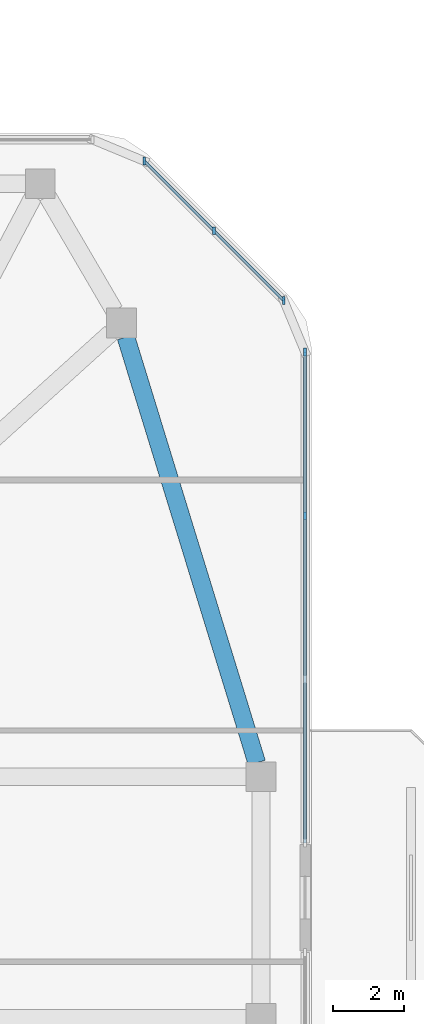
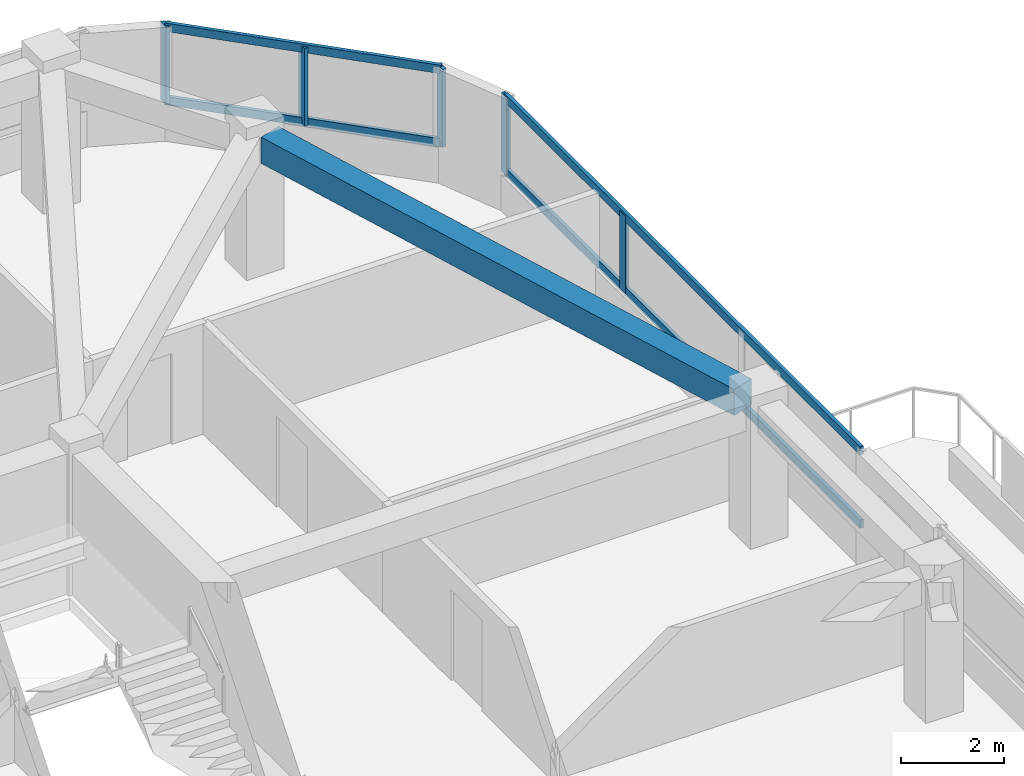
# One storey, part 7 of 14: 9 members, 1 beam, 2 elements without a shape of their own.
"""IFC4 building model written with IfcOpenShell, lengths in metres."""

from ifc_helpers import new_model, si_unit, derived_unit, direction, frame, origin, origin_2d, place, context, subcontext, project, spatial, rectangle, extrude, material, material_profile, profile_set, type_object, element, aggregate, save


model = new_model("IFC4")

# Units and contexts
model_context = context("Model", 3, precision=1e-05, world=origin(), true_north=direction((0.0, 1.0)))
body_context = subcontext(model_context, "Body", "Model", "MODEL_VIEW")
ifc_project = project(units=[si_unit("LENGTHUNIT", "METRE"), si_unit("AREAUNIT", "SQUARE_METRE"), si_unit("VOLUMEUNIT", "CUBIC_METRE"), si_unit("PLANEANGLEUNIT", "RADIAN"), si_unit("MASSUNIT", "GRAM", prefix="KILO"), derived_unit("THERMALTRANSMITTANCEUNIT", [(si_unit("POWERUNIT", "WATT"), 1), (si_unit("LENGTHUNIT", "METRE"), -2), (si_unit("THERMODYNAMICTEMPERATUREUNIT", "KELVIN"), -1)])], contexts=[model_context])

# Site, building, storey
site_placement = place(None, origin())
site = spatial("IfcSite", under=ifc_project, at=site_placement, CompositionType="ELEMENT")
building_placement = place(site_placement, origin())
building = spatial("IfcBuilding", under=site, at=building_placement, Name="Koralith Skygarden Medical Center", CompositionType="ELEMENT")
storey_placement = place(building_placement, frame((0.0, 0.0, 275.219970703125)))
storey = spatial("IfcBuildingStorey", under=building, at=storey_placement, Name="L71", CompositionType="ELEMENT", Elevation=275.219970703125)

# Curtain wall, members
ifc_material_1 = material(Name="Clear Laminated Glass", Category="glass")
curtain_wall_type = type_object("IfcCurtainWallType", Name="CW-6 Zone 5 Upper Clinical Curtain Wall", PredefinedType="NOTDEFINED", material=ifc_material_1)
curtain_wall_1_placement = place(storey_placement, origin())
curtain_wall_1 = element("IfcCurtainWall", 1, at=curtain_wall_1_placement, inside=storey, type_object=curtain_wall_type, Name="Curtain Wall CW-L71-E-R", PredefinedType="NOTDEFINED")
ifc_material_2 = material(Name="Aluminium 6063-T6", Category="aluminium")
ifc_material_profile_1 = material_profile(ifc_material_2, rectangle(XDim=0.0830078125, YDim=0.219970703125, at=origin_2d()), Name="MUL83X220")
ifc_profile_set_1 = profile_set([ifc_material_profile_1], Name="Aluminium 6063-T6")
member_type_1 = type_object("IfcMemberType", Name="CW-6 Extruded Mullion 83x220", PredefinedType="MULLION", material=ifc_profile_set_1)
member_1_placement = place(storey_placement, frame((61.719970703125, 36.64306640625, 0.85009765625), z_axis=(0.0, 0.0, 1.0), x_axis=(1.0, 0.0, 0.0)))
member_1 = element("IfcMember", 2, at=member_1_placement, type_object=member_type_1, Name="CW-L71-E-R Mullion 3", PredefinedType="MULLION", context=body_context, shape_type="SweptSolid", body=[
    extrude(rectangle(XDim=0.0830078125, YDim=0.219970703125, at=origin_2d()), origin(), (0.0, 0.0, 1.0), 1.83984375),
])
member_2_placement = place(storey_placement, frame((61.719970703125, 41.2451171875, 0.85009765625), z_axis=(0.0, 0.0, 1.0), x_axis=(1.0, 0.0, 0.0)))
member_2 = element("IfcMember", 3, at=member_2_placement, type_object=member_type_1, Name="CW-L71-E-R Mullion 4", PredefinedType="MULLION", context=body_context, shape_type="SweptSolid", body=[
    extrude(rectangle(XDim=0.0830078125, YDim=0.219970703125, at=origin_2d()), origin(), (0.0, 0.0, 1.0), 1.83984375),
])

curtain_wall_2_placement = place(storey_placement, origin())
curtain_wall_2 = element("IfcCurtainWall", 4, at=curtain_wall_2_placement, inside=storey, type_object=curtain_wall_type, Name="Curtain Wall CW-L71-NE", PredefinedType="NOTDEFINED")
member_3_placement = place(storey_placement, frame((61.118896484375, 42.696044921875, 0.85009765625), z_axis=(0.0, 0.0, 1.0), x_axis=(1.0, 0.0, 0.0)))
member_3 = element("IfcMember", 5, at=member_3_placement, type_object=member_type_1, Name="CW-L71-NE Mullion 1", PredefinedType="MULLION", context=body_context, shape_type="SweptSolid", body=[
    extrude(rectangle(XDim=0.0830078125, YDim=0.219970703125, at=origin_2d()), origin(), (0.0, 0.0, 1.0), 1.83984375),
])
member_4_placement = place(storey_placement, frame((59.156982421875, 44.656982421875, 0.85009765625), z_axis=(0.0, 0.0, 1.0), x_axis=(1.0, 0.0, 0.0)))
member_4 = element("IfcMember", 6, at=member_4_placement, type_object=member_type_1, Name="CW-L71-NE Mullion 2", PredefinedType="MULLION", context=body_context, shape_type="SweptSolid", body=[
    extrude(rectangle(XDim=0.0830078125, YDim=0.219970703125, at=origin_2d()), origin(), (0.0, 0.0, 1.0), 1.83984375),
])
member_5_placement = place(storey_placement, frame((57.196044921875, 46.618896484375, 0.85009765625), z_axis=(0.0, 0.0, 1.0), x_axis=(1.0, 0.0, 0.0)))
member_5 = element("IfcMember", 7, at=member_5_placement, type_object=member_type_1, Name="CW-L71-NE Mullion 3", PredefinedType="MULLION", context=body_context, shape_type="SweptSolid", body=[
    extrude(rectangle(XDim=0.0830078125, YDim=0.219970703125, at=origin_2d()), origin(), (0.0, 0.0, 1.0), 1.83984375),
])

# Member
ifc_material_profile_2 = material_profile(ifc_material_2, rectangle(XDim=0.077880859375, YDim=0.197998046875, at=origin_2d()), Name="TRN78X198")
ifc_profile_set_2 = profile_set([ifc_material_profile_2], Name="Aluminium 6063-T6")
member_type_2 = type_object("IfcMemberType", Name="CW-6 Thermal Transom 78x198", PredefinedType="USERDEFINED", material=ifc_profile_set_2)
member_6_placement = place(storey_placement, frame((61.719970703125, 27.43994140625, 0.900146484375), z_axis=(0.0, 1.0, 0.0), x_axis=(-1.0, 0.0, 0.0)))
member_6 = element("IfcMember", 8, at=member_6_placement, type_object=member_type_2, Name="CW-L71-E-R Transom 1", ObjectType="TRANSOM", PredefinedType="USERDEFINED", context=body_context, shape_type="SweptSolid", body=[
    extrude(rectangle(XDim=0.077880859375, YDim=0.197998046875, at=origin_2d()), origin(), (0.0, 0.0, 1.0), 13.80517578125),
])

member_7_placement = place(storey_placement, frame((61.719970703125, 27.43994140625, 2.64013671875), z_axis=(0.0, 1.0, 0.0), x_axis=(-1.0, 0.0, 0.0)))
member_7 = element("IfcMember", 9, at=member_7_placement, type_object=member_type_2, Name="CW-L71-E-R Transom 2", ObjectType="TRANSOM", PredefinedType="USERDEFINED", context=body_context, shape_type="SweptSolid", body=[
    extrude(rectangle(XDim=0.077880859375, YDim=0.197998046875, at=origin_2d()), origin(), (0.0, 0.0, 1.0), 13.80517578125),
])

aggregate(curtain_wall_1, [member_1, member_2, member_6, member_7])

member_8_placement = place(storey_placement, frame((61.118896484375, 42.696044921875, 0.900146484375), z_axis=(-0.707106781187, 0.707106781187, 0.0), x_axis=(-0.707106781187, -0.707106781187, 0.0)))
member_8 = element("IfcMember", 10, at=member_8_placement, type_object=member_type_2, Name="CW-L71-NE Transom 1", ObjectType="TRANSOM", PredefinedType="USERDEFINED", context=body_context, shape_type="SweptSolid", body=[
    extrude(rectangle(XDim=0.077880859375, YDim=0.197998046875, at=origin_2d()), origin(), (0.0, 0.0, 1.0), 5.5478515625),
])

member_9_placement = place(storey_placement, frame((61.118896484375, 42.696044921875, 2.64013671875), z_axis=(-0.707106781187, 0.707106781187, 0.0), x_axis=(-0.707106781187, -0.707106781187, 0.0)))
member_9 = element("IfcMember", 11, at=member_9_placement, type_object=member_type_2, Name="CW-L71-NE Transom 2", ObjectType="TRANSOM", PredefinedType="USERDEFINED", context=body_context, shape_type="SweptSolid", body=[
    extrude(rectangle(XDim=0.077880859375, YDim=0.197998046875, at=origin_2d()), origin(), (0.0, 0.0, 1.0), 5.5478515625),
])

aggregate(curtain_wall_2, [member_3, member_4, member_5, member_8, member_9])

# Beam
ifc_material_3 = material(Name="Concrete C45/55", Category="concrete")
ifc_material_profile_3 = material_profile(ifc_material_3, rectangle(XDim=0.5, YDim=0.6201171875, at=origin_2d()), Name="RCB500X620")
ifc_profile_set_3 = profile_set([ifc_material_profile_3], Name="Concrete C45/55")
beam_type = type_object("IfcBeamType", Name="Zone 4-5 Spandrel Beam RCB500X620", PredefinedType="SPANDREL", material=ifc_profile_set_3)
beam_placement = place(storey_placement, frame((60.360107421875, 29.69189453125, 3.010009765625), z_axis=(-0.293738023424, 0.955885962652, 0.0), x_axis=(-0.955885962652, -0.293738023424, 0.0)))
element("IfcBeam", 12, at=beam_placement, inside=storey, type_object=beam_type, Name="L71 Perimeter Spandrel Beam SP-09", PredefinedType="SPANDREL", context=body_context, shape_type="SweptSolid", body=[
    extrude(rectangle(XDim=0.5, YDim=0.6201171875, at=origin_2d()), origin(), (0.0, 0.0, 1.0), 12.52880859375),
])

save(model, "model.ifc")
